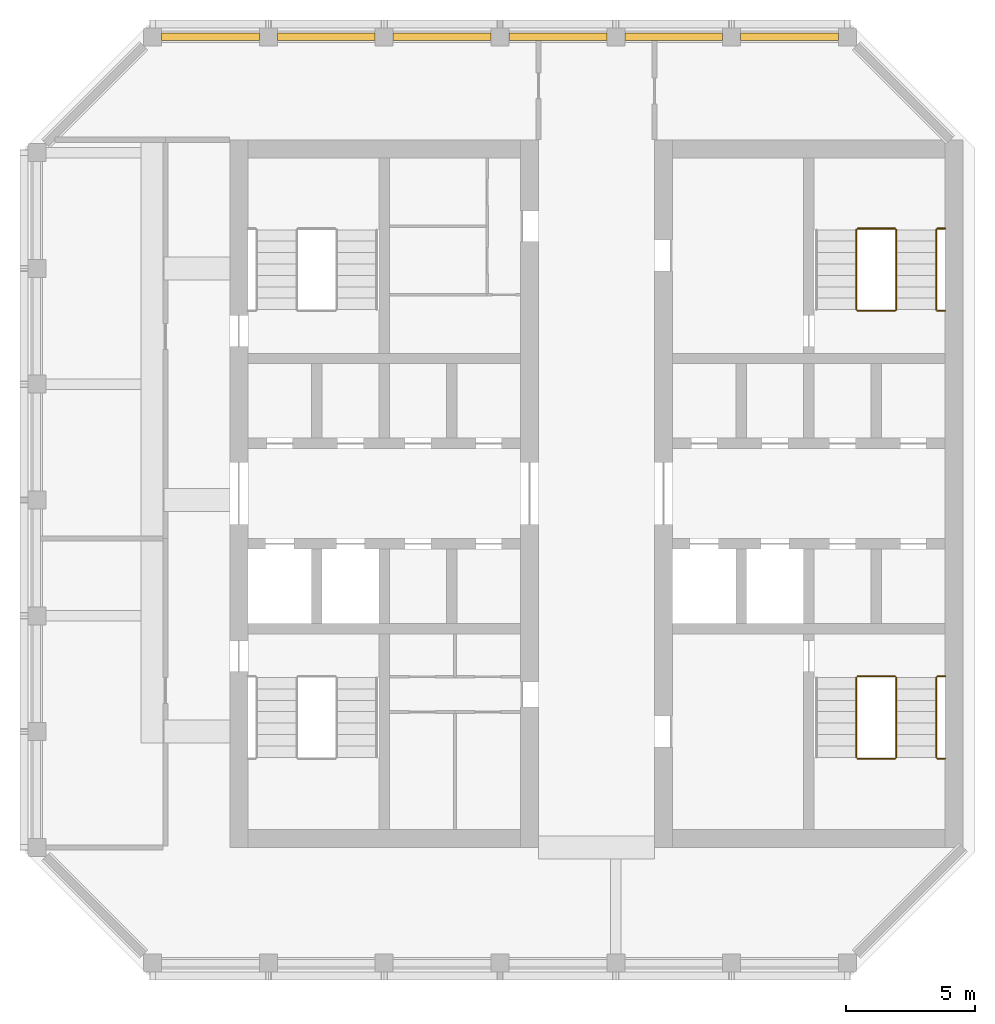
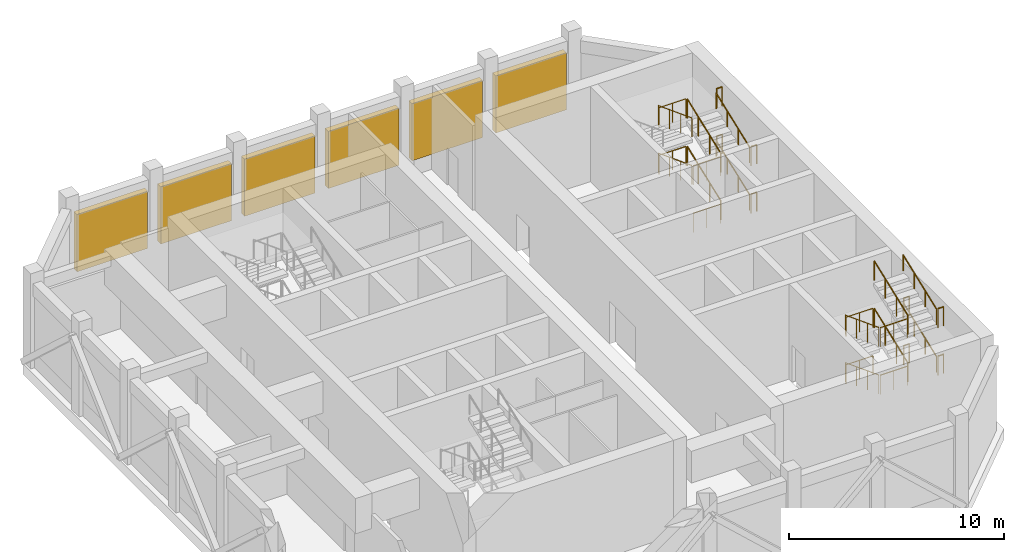
# One storey, part 7 of 7: 28 railings, 6 shading devices.
"""IFC4 building model written with IfcOpenShell, lengths in metres."""

import ifcopenshell
import ifcopenshell.guid

model = None  # the IFC model being written
_history = None  # IfcOwnerHistory: only IFC2X3 demands one
_inside = {}  # id of a spatial element -> (the spatial element, [elements in it])
_under = {}  # id of a project, library or spatial element -> (it, [spatial elements below it])
_declared = {}  # id of a project -> (the project, [libraries it declares])
_typed = {}  # id of a type object -> (the type object, [elements of that type])
_made_of = {}  # id of a material, layer set ... -> (it, [elements and type objects made of it])


def new_model(schema):
    """Start an empty IFC model of exactly this schema.

    Asked for "IFC4X3", IfcOpenShell would pick the latest addendum, in which some entities
    have other attributes; the version numbers below select the first issue.
    IFC2X3 requires an IfcOwnerHistory on every rooted entity: one is made here for all.
    """
    global model, _history
    if schema == "IFC4X3":
        model = ifcopenshell.file(schema_version=(4, 3, 0, 0))
    else:
        model = ifcopenshell.file(schema=schema)
    _inside.clear()
    _under.clear()
    _declared.clear()
    _typed.clear()
    _made_of.clear()
    _history = None
    if model.schema == "IFC2X3":
        org = make("IfcOrganization", Name="unknown")
        user = make(
            "IfcPersonAndOrganization",
            ThePerson=make("IfcPerson", FamilyName="unknown"),
            TheOrganization=org,
        )
        app = make(
            "IfcApplication",
            ApplicationDeveloper=org,
            Version="unknown",
            ApplicationFullName="unknown",
            ApplicationIdentifier="unknown",
        )
        _history = make(
            "IfcOwnerHistory",
            OwningUser=user,
            OwningApplication=app,
            ChangeAction="ADDED",
            CreationDate=0,
        )
    return model


def make(cls, **values):
    """One entity of the class cls with the attributes given. An attribute that is None is left unset."""
    return model.create_entity(
        cls, **{name: value for name, value in values.items() if value is not None}
    )


def rooted(cls, **values):
    """An entity with a GlobalId (a new one), such as an element, a storey or a relation."""
    return make(cls, GlobalId=ifcopenshell.guid.new(), OwnerHistory=_history, **values)


def si_unit(unit_type, name, prefix=None):
    """IfcSIUnit, for example si_unit("LENGTHUNIT", "METRE", prefix="MILLI")."""
    return make("IfcSIUnit", UnitType=unit_type, Prefix=prefix, Name=name)


def assignment(units):
    """IfcUnitAssignment: the units of a project."""
    return None if units is None else make("IfcUnitAssignment", Units=units)


def point(xyz):
    """IfcCartesianPoint."""
    return None if xyz is None else make("IfcCartesianPoint", Coordinates=xyz)


def direction(xyz):
    """IfcDirection."""
    return None if xyz is None else make("IfcDirection", DirectionRatios=xyz)


def frame(location, z_axis=None, x_axis=None):
    """IfcAxis2Placement3D, a coordinate frame: its origin and axes. An axis left out is left unset."""
    return make(
        "IfcAxis2Placement3D",
        Location=point(location),
        Axis=direction(z_axis),
        RefDirection=direction(x_axis),
    )


def frame_2d(location, x_axis=None):
    """IfcAxis2Placement2D, a coordinate frame in the plane: its origin and x axis."""
    return make(
        "IfcAxis2Placement2D", Location=point(location), RefDirection=direction(x_axis)
    )


def origin():
    """The frame at (0, 0, 0) with its axes left unset."""
    return frame((0.0, 0.0, 0.0))


def origin_2d():
    """The frame at (0, 0) in the plane with its x axis left unset."""
    return frame_2d((0.0, 0.0))


def place(relative_to, where):
    """IfcLocalPlacement: puts the frame where relative to a parent placement (None: the world)."""
    return make(
        "IfcLocalPlacement", PlacementRelTo=relative_to, RelativePlacement=where
    )


def context(
    kind, dimensions, precision=None, world=None, true_north=None, identifier=None
):
    """IfcGeometricRepresentationContext, for example the 3D "Model" context."""
    return make(
        "IfcGeometricRepresentationContext",
        ContextIdentifier=identifier,
        ContextType=kind,
        CoordinateSpaceDimension=dimensions,
        Precision=precision,
        WorldCoordinateSystem=world,
        TrueNorth=true_north,
    )


def subcontext(parent, identifier, kind, view, scale=None):
    """IfcGeometricRepresentationSubContext, for example "Body" below "Model"."""
    return make(
        "IfcGeometricRepresentationSubContext",
        ContextIdentifier=identifier,
        ContextType=kind,
        ParentContext=parent,
        TargetScale=scale,
        TargetView=view,
    )


def project(units=None, contexts=None):
    """IfcProject with its units and contexts."""
    return rooted(
        "IfcProject",
        Name="project",
        RepresentationContexts=contexts,
        UnitsInContext=assignment(units),
    )


def spatial(cls, under=None, at=None, **own):
    """A site, building, storey or space (cls), placed at a placement, below another one or the project."""
    s = rooted(cls, ObjectPlacement=at, **own)
    if under is not None:
        _under.setdefault(under.id(), (under, []))[1].append(s)
    return s


def profile(cls, at=None, kind="AREA", **sizes):
    """A parametric profile (cls). Its sizes go by their IFC names, for example OverallWidth=200.0."""
    return make(cls, ProfileType=kind, Position=at, **sizes)


def rectangle(**sizes):
    """IfcRectangleProfileDef."""
    return profile("IfcRectangleProfileDef", **sizes)


def circle(**sizes):
    """IfcCircleProfileDef."""
    return profile("IfcCircleProfileDef", **sizes)


def extrude(swept, where, along, depth):
    """IfcExtrudedAreaSolid: the profile swept, set in the frame where, extruded along a direction by depth."""
    return make(
        "IfcExtrudedAreaSolid",
        SweptArea=swept,
        Position=where,
        ExtrudedDirection=direction(along),
        Depth=depth,
    )


def shape(context_of_items, identifier, shape_type, items):
    """IfcShapeRepresentation: the items that make up one representation, for example the "Body"."""
    return make(
        "IfcShapeRepresentation",
        ContextOfItems=context_of_items,
        RepresentationIdentifier=identifier,
        RepresentationType=shape_type,
        Items=items,
    )


def material(Name=None, Category=None):
    """IfcMaterial."""
    return make("IfcMaterial", Name=Name, Category=Category)


def layer(
    of_material, thickness, ventilated=None, Name=None, Category=None, Priority=None
):
    """IfcMaterialLayer: one layer of a wall or slab, of a material (None: an air gap)."""
    return make(
        "IfcMaterialLayer",
        Material=of_material,
        LayerThickness=thickness,
        IsVentilated=ventilated,
        Name=Name,
        Category=Category,
        Priority=Priority,
    )


def layer_set(layers, Name=None):
    """IfcMaterialLayerSet."""
    return make("IfcMaterialLayerSet", MaterialLayers=layers, LayerSetName=Name)


def made_of(thing, what):
    """Note that an element or type object is made of a material, layer set ...; save() writes the relation."""
    if what is not None:
        _made_of.setdefault(what.id(), (what, []))[1].append(thing)
    return thing


def type_object(cls, material=None, **own):
    """A type object (cls), such as IfcWallType, which elements share."""
    return made_of(rooted(cls, **own), material)


def element(
    cls,
    number,
    at=None,
    inside=None,
    cuts=None,
    type_object=None,
    material=None,
    context=None,
    identifier="Body",
    shape_type=None,
    held_by="IfcProductDefinitionShape",
    body=None,
    shapes=None,
    **own,
):
    """One element of the class cls, such as IfcWall. Its Tag is "e" and its number.

    at: its placement. inside: the storey or other place that contains it. cuts: it is an
    opening in that element (IfcRelVoidsElement). A single representation is given by context,
    identifier, shape_type and body (its items); several are given by shapes. held_by: the class
    of the entity that holds the representations. save() writes the other relations.
    """
    e = rooted(cls, Tag="e%d" % number, ObjectPlacement=at, **own)
    if body is not None:
        shapes = [shape(context, identifier, shape_type, body)]
    if shapes is not None:
        e.Representation = make(held_by, Representations=shapes)
    if inside is not None:
        _inside.setdefault(inside.id(), (inside, []))[1].append(e)
    if cuts is not None:
        rooted(
            "IfcRelVoidsElement", RelatingBuildingElement=cuts, RelatedOpeningElement=e
        )
    if type_object is not None:
        _typed.setdefault(type_object.id(), (type_object, []))[1].append(e)
    return made_of(e, material)


def aggregate(whole, parts):
    """IfcRelAggregates: a whole, such as a stair, and the parts it consists of."""
    return rooted("IfcRelAggregates", RelatingObject=whole, RelatedObjects=parts)


def save(model, path):
    """Write the relations noted so far, then the file.

    IfcRelAggregates (storeys below a building ...), IfcRelContainedInSpatialStructure (elements
    in a storey), IfcRelDefinesByType, IfcRelAssociatesMaterial and IfcRelDeclares: one each for
    every whole, place, type object, material and project.
    """
    for whole, parts in _under.values():
        aggregate(whole, parts)
    for where, things in _inside.values():
        rooted(
            "IfcRelContainedInSpatialStructure",
            RelatedElements=things,
            RelatingStructure=where,
        )
    for kind, things in _typed.values():
        rooted("IfcRelDefinesByType", RelatedObjects=things, RelatingType=kind)
    for what, things in _made_of.values():
        rooted("IfcRelAssociatesMaterial", RelatedObjects=things, RelatingMaterial=what)
    for by, libraries in _declared.values():
        rooted("IfcRelDeclares", RelatingContext=by, RelatedDefinitions=libraries)
    model.write(path)


model = new_model("IFC4")

# Units and contexts
model_context = context("Model", 3, precision=1e-05, world=origin(), true_north=direction((0.0, 1.0)))
body_context = subcontext(model_context, "Body", "Model", "MODEL_VIEW")
ifc_project = project(units=[si_unit("LENGTHUNIT", "METRE"), si_unit("AREAUNIT", "SQUARE_METRE"), si_unit("VOLUMEUNIT", "CUBIC_METRE"), si_unit("PLANEANGLEUNIT", "RADIAN"), si_unit("MASSUNIT", "GRAM", prefix="KILO")], contexts=[model_context])

# Site, building, storey
site_placement = place(None, origin())
site = spatial("IfcSite", under=ifc_project, at=site_placement, CompositionType="ELEMENT")
building_placement = place(site_placement, origin())
building = spatial("IfcBuilding", under=site, at=building_placement, Name="Corbel Stack Research Tower", CompositionType="ELEMENT")
storey_placement = place(building_placement, frame((0.0, 0.0, 306.39990234375)))
storey = spatial("IfcBuildingStorey", under=building, at=storey_placement, Name="L69", CompositionType="ELEMENT", Elevation=306.39990234375)

# Shading devices
ifc_material_1 = material(Name="Aluminium louvre", Category="aluminium")
ifc_layer = layer(ifc_material_1, 0.300048828125)
ifc_layer_set = layer_set([ifc_layer], Name="Aluminium louvre")
shading_device_type = type_object("IfcShadingDeviceType", Name="Plant louvre 300", PredefinedType="USERDEFINED", material=ifc_layer_set)
for number, where, z_axis, x_axis, name in (
    (1, (11.25, 22.5, 0.85009765625), (0.0, 0.0, 1.0), (-1.0, 0.0, 0.0), "Plant louvre L69-09"),
    (2, (6.75, 22.5, 0.85009765625), (0.0, 0.0, 1.0), (-1.0, 0.0, 0.0), "Plant louvre L69-10"),
    (3, (2.25, 22.5, 0.85009765625), (0.0, 0.0, 1.0), (-1.0, 0.0, 0.0), "Plant louvre L69-11"),
    (4, (-2.25, 22.5, 0.85009765625), (0.0, 0.0, 1.0), (-1.0, 0.0, 0.0), "Plant louvre L69-12"),
    (5, (-6.75, 22.5, 0.85009765625), (0.0, 0.0, 1.0), (-1.0, 0.0, 0.0), "Plant louvre L69-13"),
    (6, (-11.25, 22.5, 0.85009765625), (0.0, 0.0, 1.0), (-1.0, 0.0, 0.0), "Plant louvre L69-14"),
):
    element("IfcShadingDevice", number, at=place(storey_placement, frame(where, z_axis=z_axis, x_axis=x_axis)), inside=storey, type_object=shading_device_type, Name=name, ObjectType="LOUVRE", PredefinedType="USERDEFINED", context=body_context, shape_type="SweptSolid", body=[
        extrude(rectangle(XDim=3.800048828125, YDim=0.300048828125, at=origin_2d()), origin(), (0.0, 0.0, 1.0), 3.25),
    ])

# Railings
ifc_material_2 = material(Name="Steel S355", Category="steel")
railing_type_1 = type_object("IfcRailingType", Name="Stair guard 1100", PredefinedType="GUARDRAIL", material=ifc_material_2)
railing_1_placement = place(storey_placement, frame((13.85009765625, -2.39990234375, 0.1689453125)))
element("IfcRailing", 7, at=railing_1_placement, inside=storey, type_object=railing_type_1, Name="L69 ST-E1 stair guard 1", PredefinedType="GUARDRAIL", context=body_context, shape_type="SweptSolid", body=[
    extrude(circle(Radius=0.02392578125, at=origin_2d()), frame((0.0, 0.0, 1.076171875), z_axis=(0.0, -0.934508712189, 0.355940257406), x_axis=(1.0, 0.0, 0.0)), (0.0, 0.0, 1.0), 3.318359375),
    extrude(circle(Radius=0.02099609375, at=origin_2d()), origin(), (0.0, 0.0, 1.0), 1.052001953125),
    extrude(circle(Radius=0.02099609375, at=origin_2d()), frame((0.0, -1.03369140625, 0.393798828125)), (0.0, 0.0, 1.0), 1.052001953125),
    extrude(circle(Radius=0.02099609375, at=origin_2d()), frame((0.0, -2.0673828125, 0.787353515625)), (0.0, 0.0, 1.0), 1.052001953125),
    extrude(circle(Radius=0.02099609375, at=origin_2d()), frame((0.0, -3.10107421875, 1.18115234375)), (0.0, 0.0, 1.0), 1.052001953125),
])
railing_2_placement = place(storey_placement, frame((13.89990234375, -5.551025390625, 1.35009765625)))
element("IfcRailing", 8, at=railing_2_placement, inside=storey, type_object=railing_type_1, Name="L69 ST-E1 stair guard 2", PredefinedType="GUARDRAIL", context=body_context, shape_type="SweptSolid", body=[
    extrude(circle(Radius=0.02392578125, at=origin_2d()), frame((0.0, 0.0, 1.076171875), z_axis=(1.0, 0.0, 0.0), x_axis=(0.0, 1.0, 0.0)), (0.0, 0.0, 1.0), 1.4501953125),
    extrude(circle(Radius=0.02099609375, at=origin_2d()), origin(), (0.0, 0.0, 1.0), 1.052001953125),
    extrude(circle(Radius=0.02099609375, at=origin_2d()), frame((0.72509765625, 0.0, 0.0)), (0.0, 0.0, 1.0), 1.052001953125),
    extrude(circle(Radius=0.02099609375, at=origin_2d()), frame((1.4501953125, 0.0, 0.0)), (0.0, 0.0, 1.0), 1.052001953125),
])
railing_3_placement = place(storey_placement, frame((17.0, -5.551025390625, 1.35009765625)))
element("IfcRailing", 9, at=railing_3_placement, inside=storey, type_object=railing_type_1, Name="L69 ST-E1 stair guard 3", PredefinedType="GUARDRAIL", context=body_context, shape_type="SweptSolid", body=[
    extrude(circle(Radius=0.02392578125, at=origin_2d()), frame((0.0, 0.0, 1.076171875), z_axis=(1.0, 0.0, 0.0), x_axis=(0.0, 1.0, 0.0)), (0.0, 0.0, 1.0), 0.300048828125),
    extrude(circle(Radius=0.02099609375, at=origin_2d()), origin(), (0.0, 0.0, 1.0), 1.052001953125),
    extrude(circle(Radius=0.02099609375, at=origin_2d()), frame((0.300048828125, 0.0, 0.0)), (0.0, 0.0, 1.0), 1.052001953125),
])
railing_4_placement = place(storey_placement, frame((15.39990234375, -5.5009765625, 1.518798828125)))
element("IfcRailing", 10, at=railing_4_placement, inside=storey, type_object=railing_type_1, Name="L69 ST-E1 stair guard 4", PredefinedType="GUARDRAIL", context=body_context, shape_type="SweptSolid", body=[
    extrude(circle(Radius=0.02392578125, at=origin_2d()), frame((0.0, 0.0, 1.076171875), z_axis=(0.0, 0.934484238495, 0.356004505596), x_axis=(-1.0, 0.0, 0.0)), (0.0, 0.0, 1.0), 3.318603515625),
    extrude(circle(Radius=0.02099609375, at=origin_2d()), origin(), (0.0, 0.0, 1.0), 1.052001953125),
    extrude(circle(Radius=0.02099609375, at=origin_2d()), frame((0.0, 1.03369140625, 0.393798828125)), (0.0, 0.0, 1.0), 1.052001953125),
    extrude(circle(Radius=0.02099609375, at=origin_2d()), frame((0.0, 2.0673828125, 0.78759765625)), (0.0, 0.0, 1.0), 1.052001953125),
    extrude(circle(Radius=0.02099609375, at=origin_2d()), frame((0.0, 3.10107421875, 1.181396484375)), (0.0, 0.0, 1.0), 1.052001953125),
])
railing_5_placement = place(storey_placement, frame((13.89990234375, -2.35009765625, 2.7001953125)))
element("IfcRailing", 11, at=railing_5_placement, inside=storey, type_object=railing_type_1, Name="L69 ST-E1 stair guard 5", PredefinedType="GUARDRAIL", context=body_context, shape_type="SweptSolid", body=[
    extrude(circle(Radius=0.02392578125, at=origin_2d()), frame((0.0, 0.0, 1.076171875), z_axis=(1.0, 0.0, 0.0), x_axis=(0.0, 1.0, 0.0)), (0.0, 0.0, 1.0), 1.4501953125),
    extrude(circle(Radius=0.02099609375, at=origin_2d()), origin(), (0.0, 0.0, 1.0), 1.052001953125),
    extrude(circle(Radius=0.02099609375, at=origin_2d()), frame((0.72509765625, 0.0, 0.0)), (0.0, 0.0, 1.0), 1.052001953125),
    extrude(circle(Radius=0.02099609375, at=origin_2d()), frame((1.4501953125, 0.0, 0.0)), (0.0, 0.0, 1.0), 1.052001953125),
])
railing_6_placement = place(storey_placement, frame((17.0, -2.35009765625, 2.7001953125)))
element("IfcRailing", 12, at=railing_6_placement, inside=storey, type_object=railing_type_1, Name="L69 ST-E1 stair guard 6", PredefinedType="GUARDRAIL", context=body_context, shape_type="SweptSolid", body=[
    extrude(circle(Radius=0.02392578125, at=origin_2d()), frame((0.0, 0.0, 1.076171875), z_axis=(1.0, 0.0, 0.0), x_axis=(0.0, 1.0, 0.0)), (0.0, 0.0, 1.0), 0.300048828125),
    extrude(circle(Radius=0.02099609375, at=origin_2d()), origin(), (0.0, 0.0, 1.0), 1.052001953125),
    extrude(circle(Radius=0.02099609375, at=origin_2d()), frame((0.300048828125, 0.0, 0.0)), (0.0, 0.0, 1.0), 1.052001953125),
])
railing_7_placement = place(storey_placement, frame((13.85009765625, -2.39990234375, 2.868896484375)))
element("IfcRailing", 13, at=railing_7_placement, inside=storey, type_object=railing_type_1, Name="L69 ST-E1 stair guard 7", PredefinedType="GUARDRAIL", context=body_context, shape_type="SweptSolid", body=[
    extrude(circle(Radius=0.02392578125, at=origin_2d()), frame((0.0, 0.0, 1.076171875), z_axis=(0.0, -0.934508712189, 0.355940257406), x_axis=(1.0, 0.0, 0.0)), (0.0, 0.0, 1.0), 3.318359375),
    extrude(circle(Radius=0.02099609375, at=origin_2d()), origin(), (0.0, 0.0, 1.0), 1.052001953125),
    extrude(circle(Radius=0.02099609375, at=origin_2d()), frame((0.0, -1.03369140625, 0.393798828125)), (0.0, 0.0, 1.0), 1.052001953125),
    extrude(circle(Radius=0.02099609375, at=origin_2d()), frame((0.0, -2.0673828125, 0.787353515625)), (0.0, 0.0, 1.0), 1.052001953125),
    extrude(circle(Radius=0.02099609375, at=origin_2d()), frame((0.0, -3.10107421875, 1.18115234375)), (0.0, 0.0, 1.0), 1.052001953125),
])
railing_8_placement = place(storey_placement, frame((13.89990234375, -5.551025390625, 4.050048828125)))
element("IfcRailing", 14, at=railing_8_placement, inside=storey, type_object=railing_type_1, Name="L69 ST-E1 stair guard 8", PredefinedType="GUARDRAIL", context=body_context, shape_type="SweptSolid", body=[
    extrude(circle(Radius=0.02392578125, at=origin_2d()), frame((0.0, 0.0, 1.076171875), z_axis=(1.0, 0.0, 0.0), x_axis=(0.0, 1.0, 0.0)), (0.0, 0.0, 1.0), 1.4501953125),
    extrude(circle(Radius=0.02099609375, at=origin_2d()), origin(), (0.0, 0.0, 1.0), 1.052001953125),
    extrude(circle(Radius=0.02099609375, at=origin_2d()), frame((0.72509765625, 0.0, 0.0)), (0.0, 0.0, 1.0), 1.052001953125),
    extrude(circle(Radius=0.02099609375, at=origin_2d()), frame((1.4501953125, 0.0, 0.0)), (0.0, 0.0, 1.0), 1.052001953125),
])
railing_9_placement = place(storey_placement, frame((17.0, -5.551025390625, 4.050048828125)))
element("IfcRailing", 15, at=railing_9_placement, inside=storey, type_object=railing_type_1, Name="L69 ST-E1 stair guard 9", PredefinedType="GUARDRAIL", context=body_context, shape_type="SweptSolid", body=[
    extrude(circle(Radius=0.02392578125, at=origin_2d()), frame((0.0, 0.0, 1.076171875), z_axis=(1.0, 0.0, 0.0), x_axis=(0.0, 1.0, 0.0)), (0.0, 0.0, 1.0), 0.300048828125),
    extrude(circle(Radius=0.02099609375, at=origin_2d()), origin(), (0.0, 0.0, 1.0), 1.052001953125),
    extrude(circle(Radius=0.02099609375, at=origin_2d()), frame((0.300048828125, 0.0, 0.0)), (0.0, 0.0, 1.0), 1.052001953125),
])
railing_10_placement = place(storey_placement, frame((15.39990234375, -5.5009765625, 4.21875)))
element("IfcRailing", 16, at=railing_10_placement, inside=storey, type_object=railing_type_1, Name="L69 ST-E1 stair guard 10", PredefinedType="GUARDRAIL", context=body_context, shape_type="SweptSolid", body=[
    extrude(circle(Radius=0.02392578125, at=origin_2d()), frame((0.0, 0.0, 1.076171875), z_axis=(0.0, 0.934484238495, 0.356004505596), x_axis=(-1.0, 0.0, 0.0)), (0.0, 0.0, 1.0), 3.318603515625),
    extrude(circle(Radius=0.02099609375, at=origin_2d()), origin(), (0.0, 0.0, 1.0), 1.052001953125),
    extrude(circle(Radius=0.02099609375, at=origin_2d()), frame((0.0, 1.03369140625, 0.393798828125)), (0.0, 0.0, 1.0), 1.052001953125),
    extrude(circle(Radius=0.02099609375, at=origin_2d()), frame((0.0, 2.0673828125, 0.78759765625)), (0.0, 0.0, 1.0), 1.052001953125),
    extrude(circle(Radius=0.02099609375, at=origin_2d()), frame((0.0, 3.10107421875, 1.181396484375)), (0.0, 0.0, 1.0), 1.052001953125),
])
railing_11_placement = place(storey_placement, frame((13.89990234375, -2.35009765625, 0.0)))
element("IfcRailing", 17, at=railing_11_placement, inside=storey, type_object=railing_type_1, Name="L69 ST-E1 stair guard 11", PredefinedType="GUARDRAIL", context=body_context, shape_type="SweptSolid", body=[
    extrude(circle(Radius=0.02392578125, at=origin_2d()), frame((0.0, 0.0, 1.076171875), z_axis=(1.0, 0.0, 0.0), x_axis=(0.0, 1.0, 0.0)), (0.0, 0.0, 1.0), 1.4501953125),
    extrude(circle(Radius=0.02099609375, at=origin_2d()), origin(), (0.0, 0.0, 1.0), 1.052001953125),
    extrude(circle(Radius=0.02099609375, at=origin_2d()), frame((0.72509765625, 0.0, 0.0)), (0.0, 0.0, 1.0), 1.052001953125),
    extrude(circle(Radius=0.02099609375, at=origin_2d()), frame((1.4501953125, 0.0, 0.0)), (0.0, 0.0, 1.0), 1.052001953125),
])
railing_12_placement = place(storey_placement, frame((17.0, -2.35009765625, 0.0)))
element("IfcRailing", 18, at=railing_12_placement, inside=storey, type_object=railing_type_1, Name="L69 ST-E1 stair guard 12", PredefinedType="GUARDRAIL", context=body_context, shape_type="SweptSolid", body=[
    extrude(circle(Radius=0.02392578125, at=origin_2d()), frame((0.0, 0.0, 1.076171875), z_axis=(1.0, 0.0, 0.0), x_axis=(0.0, 1.0, 0.0)), (0.0, 0.0, 1.0), 0.300048828125),
    extrude(circle(Radius=0.02099609375, at=origin_2d()), origin(), (0.0, 0.0, 1.0), 1.052001953125),
    extrude(circle(Radius=0.02099609375, at=origin_2d()), frame((0.300048828125, 0.0, 0.0)), (0.0, 0.0, 1.0), 1.052001953125),
])
railing_13_placement = place(storey_placement, frame((15.39990234375, 11.89990234375, 0.1689453125)))
element("IfcRailing", 19, at=railing_13_placement, inside=storey, type_object=railing_type_1, Name="L69 ST-E2 stair guard 1", PredefinedType="GUARDRAIL", context=body_context, shape_type="SweptSolid", body=[
    extrude(circle(Radius=0.02392578125, at=origin_2d()), frame((0.0, 0.0, 1.076171875), z_axis=(0.0, 0.934508712189, 0.355940257406), x_axis=(-1.0, 0.0, 0.0)), (0.0, 0.0, 1.0), 3.318359375),
    extrude(circle(Radius=0.02099609375, at=origin_2d()), origin(), (0.0, 0.0, 1.0), 1.052001953125),
    extrude(circle(Radius=0.02099609375, at=origin_2d()), frame((0.0, 1.03369140625, 0.393798828125)), (0.0, 0.0, 1.0), 1.052001953125),
    extrude(circle(Radius=0.02099609375, at=origin_2d()), frame((0.0, 2.0673828125, 0.787353515625)), (0.0, 0.0, 1.0), 1.052001953125),
    extrude(circle(Radius=0.02099609375, at=origin_2d()), frame((0.0, 3.10107421875, 1.18115234375)), (0.0, 0.0, 1.0), 1.052001953125),
])
railing_14_placement = place(storey_placement, frame((15.35009765625, 15.051025390625, 1.35009765625)))
element("IfcRailing", 20, at=railing_14_placement, inside=storey, type_object=railing_type_1, Name="L69 ST-E2 stair guard 2", PredefinedType="GUARDRAIL", context=body_context, shape_type="SweptSolid", body=[
    extrude(circle(Radius=0.02392578125, at=origin_2d()), frame((0.0, 0.0, 1.076171875), z_axis=(-1.0, 0.0, 0.0), x_axis=(0.0, -1.0, 0.0)), (0.0, 0.0, 1.0), 1.4501953125),
    extrude(circle(Radius=0.02099609375, at=origin_2d()), origin(), (0.0, 0.0, 1.0), 1.052001953125),
    extrude(circle(Radius=0.02099609375, at=origin_2d()), frame((-0.72509765625, 0.0, 0.0)), (0.0, 0.0, 1.0), 1.052001953125),
    extrude(circle(Radius=0.02099609375, at=origin_2d()), frame((-1.4501953125, 0.0, 0.0)), (0.0, 0.0, 1.0), 1.052001953125),
])
railing_15_placement = place(storey_placement, frame((17.300048828125, 15.051025390625, 1.35009765625)))
element("IfcRailing", 21, at=railing_15_placement, inside=storey, type_object=railing_type_1, Name="L69 ST-E2 stair guard 3", PredefinedType="GUARDRAIL", context=body_context, shape_type="SweptSolid", body=[
    extrude(circle(Radius=0.02392578125, at=origin_2d()), frame((0.0, 0.0, 1.076171875), z_axis=(-1.0, 0.0, 0.0), x_axis=(0.0, -1.0, 0.0)), (0.0, 0.0, 1.0), 0.300048828125),
    extrude(circle(Radius=0.02099609375, at=origin_2d()), origin(), (0.0, 0.0, 1.0), 1.052001953125),
    extrude(circle(Radius=0.02099609375, at=origin_2d()), frame((-0.300048828125, 0.0, 0.0)), (0.0, 0.0, 1.0), 1.052001953125),
])
railing_16_placement = place(storey_placement, frame((13.85009765625, 15.0009765625, 1.518798828125)))
element("IfcRailing", 22, at=railing_16_placement, inside=storey, type_object=railing_type_1, Name="L69 ST-E2 stair guard 4", PredefinedType="GUARDRAIL", context=body_context, shape_type="SweptSolid", body=[
    extrude(circle(Radius=0.02392578125, at=origin_2d()), frame((0.0, 0.0, 1.076171875), z_axis=(0.0, -0.934484238495, 0.356004505596), x_axis=(1.0, 0.0, 0.0)), (0.0, 0.0, 1.0), 3.318603515625),
    extrude(circle(Radius=0.02099609375, at=origin_2d()), origin(), (0.0, 0.0, 1.0), 1.052001953125),
    extrude(circle(Radius=0.02099609375, at=origin_2d()), frame((0.0, -1.03369140625, 0.393798828125)), (0.0, 0.0, 1.0), 1.052001953125),
    extrude(circle(Radius=0.02099609375, at=origin_2d()), frame((0.0, -2.0673828125, 0.78759765625)), (0.0, 0.0, 1.0), 1.052001953125),
    extrude(circle(Radius=0.02099609375, at=origin_2d()), frame((0.0, -3.10107421875, 1.181396484375)), (0.0, 0.0, 1.0), 1.052001953125),
])
railing_17_placement = place(storey_placement, frame((15.35009765625, 11.85009765625, 2.7001953125)))
element("IfcRailing", 23, at=railing_17_placement, inside=storey, type_object=railing_type_1, Name="L69 ST-E2 stair guard 5", PredefinedType="GUARDRAIL", context=body_context, shape_type="SweptSolid", body=[
    extrude(circle(Radius=0.02392578125, at=origin_2d()), frame((0.0, 0.0, 1.076171875), z_axis=(-1.0, 0.0, 0.0), x_axis=(0.0, -1.0, 0.0)), (0.0, 0.0, 1.0), 1.4501953125),
    extrude(circle(Radius=0.02099609375, at=origin_2d()), origin(), (0.0, 0.0, 1.0), 1.052001953125),
    extrude(circle(Radius=0.02099609375, at=origin_2d()), frame((-0.72509765625, 0.0, 0.0)), (0.0, 0.0, 1.0), 1.052001953125),
    extrude(circle(Radius=0.02099609375, at=origin_2d()), frame((-1.4501953125, 0.0, 0.0)), (0.0, 0.0, 1.0), 1.052001953125),
])
railing_18_placement = place(storey_placement, frame((17.300048828125, 11.85009765625, 2.7001953125)))
element("IfcRailing", 24, at=railing_18_placement, inside=storey, type_object=railing_type_1, Name="L69 ST-E2 stair guard 6", PredefinedType="GUARDRAIL", context=body_context, shape_type="SweptSolid", body=[
    extrude(circle(Radius=0.02392578125, at=origin_2d()), frame((0.0, 0.0, 1.076171875), z_axis=(-1.0, 0.0, 0.0), x_axis=(0.0, -1.0, 0.0)), (0.0, 0.0, 1.0), 0.300048828125),
    extrude(circle(Radius=0.02099609375, at=origin_2d()), origin(), (0.0, 0.0, 1.0), 1.052001953125),
    extrude(circle(Radius=0.02099609375, at=origin_2d()), frame((-0.300048828125, 0.0, 0.0)), (0.0, 0.0, 1.0), 1.052001953125),
])
railing_19_placement = place(storey_placement, frame((15.39990234375, 11.89990234375, 2.868896484375)))
element("IfcRailing", 25, at=railing_19_placement, inside=storey, type_object=railing_type_1, Name="L69 ST-E2 stair guard 7", PredefinedType="GUARDRAIL", context=body_context, shape_type="SweptSolid", body=[
    extrude(circle(Radius=0.02392578125, at=origin_2d()), frame((0.0, 0.0, 1.076171875), z_axis=(0.0, 0.934508712189, 0.355940257406), x_axis=(-1.0, 0.0, 0.0)), (0.0, 0.0, 1.0), 3.318359375),
    extrude(circle(Radius=0.02099609375, at=origin_2d()), origin(), (0.0, 0.0, 1.0), 1.052001953125),
    extrude(circle(Radius=0.02099609375, at=origin_2d()), frame((0.0, 1.03369140625, 0.393798828125)), (0.0, 0.0, 1.0), 1.052001953125),
    extrude(circle(Radius=0.02099609375, at=origin_2d()), frame((0.0, 2.0673828125, 0.787353515625)), (0.0, 0.0, 1.0), 1.052001953125),
    extrude(circle(Radius=0.02099609375, at=origin_2d()), frame((0.0, 3.10107421875, 1.18115234375)), (0.0, 0.0, 1.0), 1.052001953125),
])
railing_20_placement = place(storey_placement, frame((15.35009765625, 15.051025390625, 4.050048828125)))
element("IfcRailing", 26, at=railing_20_placement, inside=storey, type_object=railing_type_1, Name="L69 ST-E2 stair guard 8", PredefinedType="GUARDRAIL", context=body_context, shape_type="SweptSolid", body=[
    extrude(circle(Radius=0.02392578125, at=origin_2d()), frame((0.0, 0.0, 1.076171875), z_axis=(-1.0, 0.0, 0.0), x_axis=(0.0, -1.0, 0.0)), (0.0, 0.0, 1.0), 1.4501953125),
    extrude(circle(Radius=0.02099609375, at=origin_2d()), origin(), (0.0, 0.0, 1.0), 1.052001953125),
    extrude(circle(Radius=0.02099609375, at=origin_2d()), frame((-0.72509765625, 0.0, 0.0)), (0.0, 0.0, 1.0), 1.052001953125),
    extrude(circle(Radius=0.02099609375, at=origin_2d()), frame((-1.4501953125, 0.0, 0.0)), (0.0, 0.0, 1.0), 1.052001953125),
])
railing_21_placement = place(storey_placement, frame((17.300048828125, 15.051025390625, 4.050048828125)))
element("IfcRailing", 27, at=railing_21_placement, inside=storey, type_object=railing_type_1, Name="L69 ST-E2 stair guard 9", PredefinedType="GUARDRAIL", context=body_context, shape_type="SweptSolid", body=[
    extrude(circle(Radius=0.02392578125, at=origin_2d()), frame((0.0, 0.0, 1.076171875), z_axis=(-1.0, 0.0, 0.0), x_axis=(0.0, -1.0, 0.0)), (0.0, 0.0, 1.0), 0.300048828125),
    extrude(circle(Radius=0.02099609375, at=origin_2d()), origin(), (0.0, 0.0, 1.0), 1.052001953125),
    extrude(circle(Radius=0.02099609375, at=origin_2d()), frame((-0.300048828125, 0.0, 0.0)), (0.0, 0.0, 1.0), 1.052001953125),
])
railing_22_placement = place(storey_placement, frame((13.85009765625, 15.0009765625, 4.21875)))
element("IfcRailing", 28, at=railing_22_placement, inside=storey, type_object=railing_type_1, Name="L69 ST-E2 stair guard 10", PredefinedType="GUARDRAIL", context=body_context, shape_type="SweptSolid", body=[
    extrude(circle(Radius=0.02392578125, at=origin_2d()), frame((0.0, 0.0, 1.076171875), z_axis=(0.0, -0.934484238495, 0.356004505596), x_axis=(1.0, 0.0, 0.0)), (0.0, 0.0, 1.0), 3.318603515625),
    extrude(circle(Radius=0.02099609375, at=origin_2d()), origin(), (0.0, 0.0, 1.0), 1.052001953125),
    extrude(circle(Radius=0.02099609375, at=origin_2d()), frame((0.0, -1.03369140625, 0.393798828125)), (0.0, 0.0, 1.0), 1.052001953125),
    extrude(circle(Radius=0.02099609375, at=origin_2d()), frame((0.0, -2.0673828125, 0.78759765625)), (0.0, 0.0, 1.0), 1.052001953125),
    extrude(circle(Radius=0.02099609375, at=origin_2d()), frame((0.0, -3.10107421875, 1.181396484375)), (0.0, 0.0, 1.0), 1.052001953125),
])
railing_23_placement = place(storey_placement, frame((15.35009765625, 11.85009765625, 0.0)))
element("IfcRailing", 29, at=railing_23_placement, inside=storey, type_object=railing_type_1, Name="L69 ST-E2 stair guard 11", PredefinedType="GUARDRAIL", context=body_context, shape_type="SweptSolid", body=[
    extrude(circle(Radius=0.02392578125, at=origin_2d()), frame((0.0, 0.0, 1.076171875), z_axis=(-1.0, 0.0, 0.0), x_axis=(0.0, -1.0, 0.0)), (0.0, 0.0, 1.0), 1.4501953125),
    extrude(circle(Radius=0.02099609375, at=origin_2d()), origin(), (0.0, 0.0, 1.0), 1.052001953125),
    extrude(circle(Radius=0.02099609375, at=origin_2d()), frame((-0.72509765625, 0.0, 0.0)), (0.0, 0.0, 1.0), 1.052001953125),
    extrude(circle(Radius=0.02099609375, at=origin_2d()), frame((-1.4501953125, 0.0, 0.0)), (0.0, 0.0, 1.0), 1.052001953125),
])
railing_24_placement = place(storey_placement, frame((17.300048828125, 11.85009765625, 0.0)))
element("IfcRailing", 30, at=railing_24_placement, inside=storey, type_object=railing_type_1, Name="L69 ST-E2 stair guard 12", PredefinedType="GUARDRAIL", context=body_context, shape_type="SweptSolid", body=[
    extrude(circle(Radius=0.02392578125, at=origin_2d()), frame((0.0, 0.0, 1.076171875), z_axis=(-1.0, 0.0, 0.0), x_axis=(0.0, -1.0, 0.0)), (0.0, 0.0, 1.0), 0.300048828125),
    extrude(circle(Radius=0.02099609375, at=origin_2d()), origin(), (0.0, 0.0, 1.0), 1.052001953125),
    extrude(circle(Radius=0.02099609375, at=origin_2d()), frame((-0.300048828125, 0.0, 0.0)), (0.0, 0.0, 1.0), 1.052001953125),
])
ifc_material_3 = material(Name="Steel S355", Category="steel")
railing_type_2 = type_object("IfcRailingType", Name="Stair handrail 900", PredefinedType="HANDRAIL", material=ifc_material_3)
for number, where, name in (
    (31, (16.949951171875, -5.5009765625, 1.518798828125), "L69 ST-E1 stair handrail 2"),
    (32, (16.949951171875, -5.5009765625, 4.21875), "L69 ST-E1 stair handrail 4"),
):
    element("IfcRailing", number, at=place(storey_placement, frame(where)), inside=storey, type_object=railing_type_2, Name=name, PredefinedType="HANDRAIL", context=body_context, shape_type="SweptSolid", body=[
        extrude(circle(Radius=0.02392578125, at=origin_2d()), frame((0.0, 0.0, 0.8759765625), z_axis=(0.0, 0.934484238495, 0.356004505596), x_axis=(-1.0, 0.0, 0.0)), (0.0, 0.0, 1.0), 3.318603515625),
        extrude(circle(Radius=0.02099609375, at=origin_2d()), origin(), (0.0, 0.0, 1.0), 0.851806640625),
        extrude(circle(Radius=0.02099609375, at=origin_2d()), frame((0.0, 1.03369140625, 0.393798828125)), (0.0, 0.0, 1.0), 0.851806640625),
        extrude(circle(Radius=0.02099609375, at=origin_2d()), frame((0.0, 2.0673828125, 0.78759765625)), (0.0, 0.0, 1.0), 0.851806640625),
        extrude(circle(Radius=0.02099609375, at=origin_2d()), frame((0.0, 3.10107421875, 1.181396484375)), (0.0, 0.0, 1.0), 0.851806640625),
    ])
for number, where, name in (
    (33, (16.949951171875, 11.89990234375, 0.1689453125), "L69 ST-E2 stair handrail 1"),
    (34, (16.949951171875, 11.89990234375, 2.868896484375), "L69 ST-E2 stair handrail 3"),
):
    element("IfcRailing", number, at=place(storey_placement, frame(where)), inside=storey, type_object=railing_type_2, Name=name, PredefinedType="HANDRAIL", context=body_context, shape_type="SweptSolid", body=[
        extrude(circle(Radius=0.02392578125, at=origin_2d()), frame((0.0, 0.0, 0.8759765625), z_axis=(0.0, 0.934508712189, 0.355940257406), x_axis=(-1.0, 0.0, 0.0)), (0.0, 0.0, 1.0), 3.318359375),
        extrude(circle(Radius=0.02099609375, at=origin_2d()), origin(), (0.0, 0.0, 1.0), 0.851806640625),
        extrude(circle(Radius=0.02099609375, at=origin_2d()), frame((0.0, 1.03369140625, 0.393798828125)), (0.0, 0.0, 1.0), 0.851806640625),
        extrude(circle(Radius=0.02099609375, at=origin_2d()), frame((0.0, 2.0673828125, 0.787353515625)), (0.0, 0.0, 1.0), 0.851806640625),
        extrude(circle(Radius=0.02099609375, at=origin_2d()), frame((0.0, 3.10107421875, 1.18115234375)), (0.0, 0.0, 1.0), 0.851806640625),
    ])

save(model, "model.ifc")
